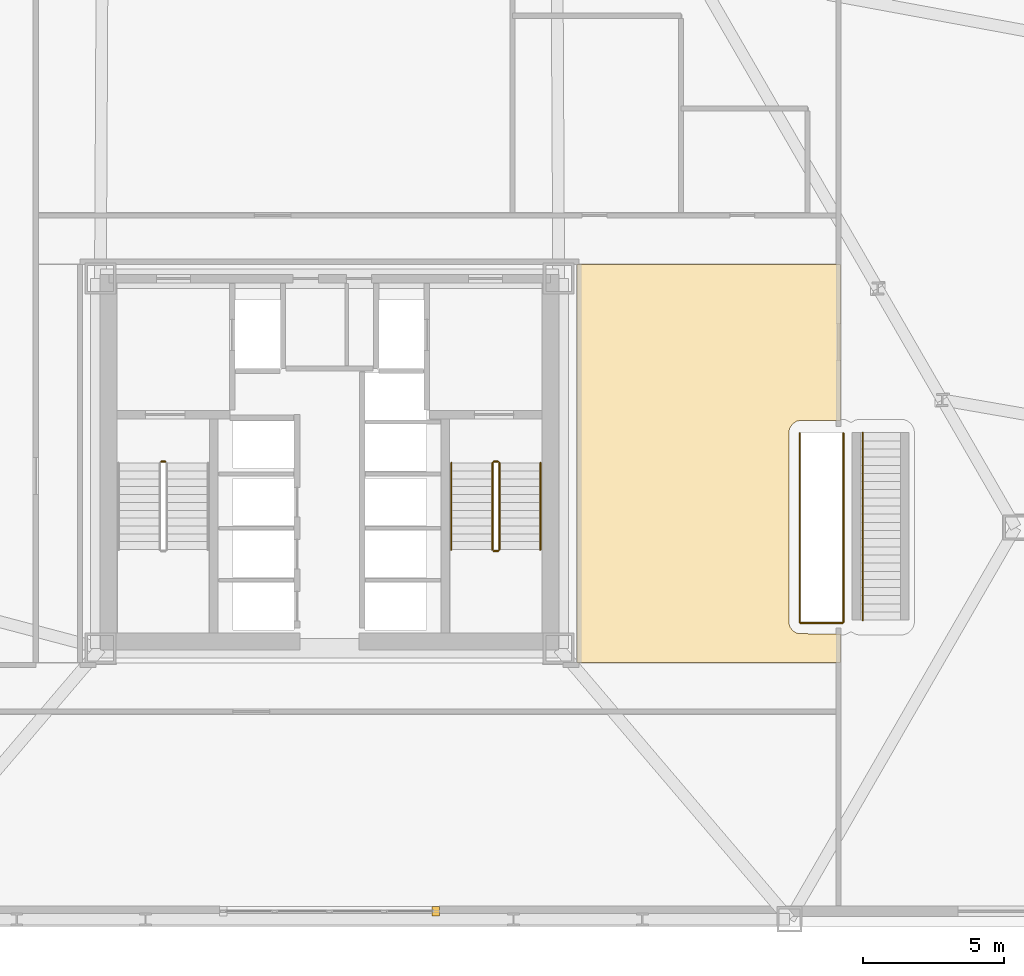
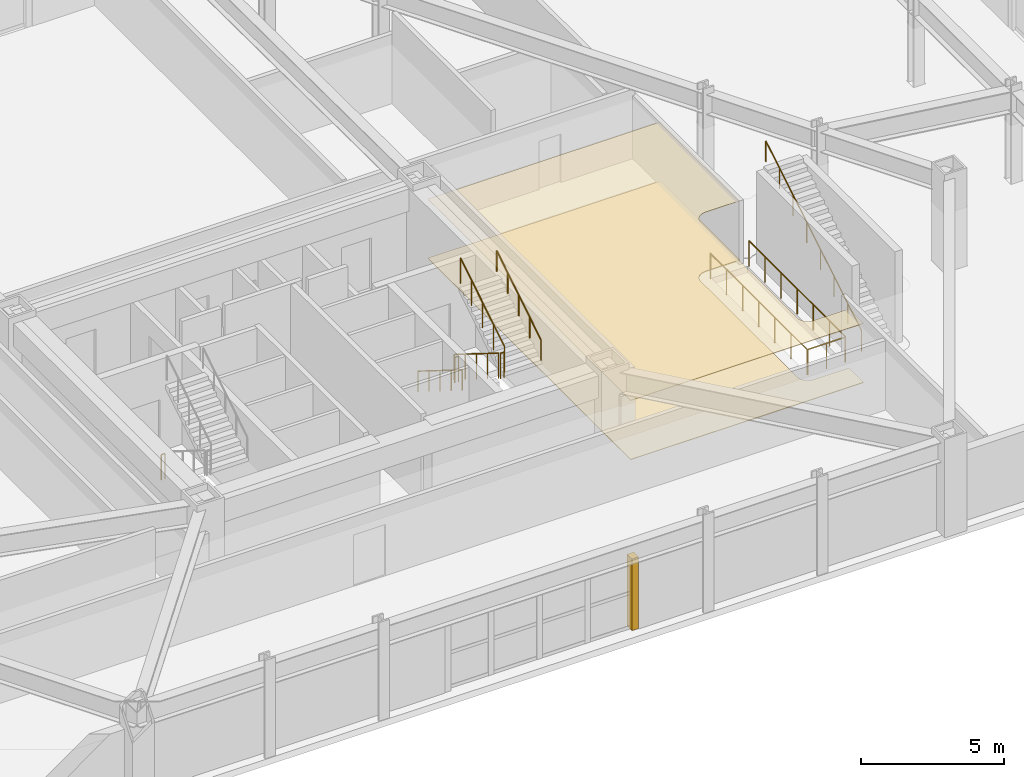
# One storey, part 21 of 22: 11 railings, 3 coverings.
"""IFC4 building model written with IfcOpenShell, lengths in metres."""

from ifc_helpers import new_model, si_unit, direction, frame, origin, origin_2d, place, context, subcontext, project, spatial, polyline, rectangle, circle, outline, extrude, material, layer, layer_set, type_object, element, save


model = new_model("IFC4")

# Units and contexts
model_context = context("Model", 3, precision=1e-05, world=origin(), true_north=direction((0.0, 1.0)))
body_context = subcontext(model_context, "Body", "Model", "MODEL_VIEW")
ifc_project = project(units=[si_unit("LENGTHUNIT", "METRE"), si_unit("AREAUNIT", "SQUARE_METRE"), si_unit("VOLUMEUNIT", "CUBIC_METRE"), si_unit("PLANEANGLEUNIT", "RADIAN"), si_unit("MASSUNIT", "GRAM", prefix="KILO")], contexts=[model_context])

# Site, building, storey
site_placement = place(None, origin())
site = spatial("IfcSite", under=ifc_project, at=site_placement, CompositionType="ELEMENT")
building_placement = place(site_placement, origin())
building = spatial("IfcBuilding", under=site, at=building_placement, Name="Oramaril Tower", CompositionType="ELEMENT")
storey_placement = place(building_placement, frame((0.0, 0.0, 14.10009765625)))
storey = spatial("IfcBuildingStorey", under=building, at=storey_placement, Name="L03", CompositionType="ELEMENT", Elevation=14.10009765625)

# Coverings
ifc_material_1 = material(Name="Mineral Fibre Acoustic Ceiling")
ifc_layer_1 = layer(ifc_material_1, 0.02001953125)
ifc_layer_set_1 = layer_set([ifc_layer_1], Name="CVT-CEIL")
covering_type_1 = type_object("IfcCoveringType", Name="CVT-CEIL", PredefinedType="CEILING", material=ifc_layer_set_1)
covering_1_placement = place(storey_placement, frame((0.0, 0.0, 2.52197265625)))
element("IfcCovering", 1, at=covering_1_placement, inside=storey, type_object=covering_type_1, Name="L03 Acoustic Suspended Ceiling 4", PredefinedType="CEILING", context=body_context, shape_type="SweptSolid", body=[
    extrude(outline(polyline([(53.965087890625, 18.9794921875), (53.868896484375, 18.835693359375), (53.83740234375, 18.710693359375), (53.844970703125, 11.862548828125), (53.8876953125, 11.742919921875), (53.964599609375, 11.639404296875), (54.068115234375, 11.562744140625), (54.187744140625, 11.52001953125), (55.679931640625, 11.509521484375), (55.679931640625, 10.5), (46.300048828125, 10.5), (46.300048828125, 24.64990234375), (55.679931640625, 24.64990234375), (55.679931640625, 19.109619140625), (54.282958984375, 19.109619140625), (54.107177734375, 19.074462890625), (53.965087890625, 18.9794921875)])), origin(), (0.0, 0.0, 1.0), 0.02001953125),
])
ifc_material_2 = material(Name="Warm Cream Limestone", Category="masonry")
ifc_layer_2 = layer(ifc_material_2, 0.050048828125)
ifc_layer_set_2 = layer_set([ifc_layer_2], Name="CVT-CLD")
covering_type_2 = type_object("IfcCoveringType", Name="CVT-CLD", PredefinedType="CLADDING", material=ifc_layer_set_2)
covering_2_placement = place(storey_placement, frame((41.280029296875, 1.64990234375, 0.0), z_axis=(0.0, 0.0, 1.0), x_axis=(1.0, 0.0, 0.0)))
element("IfcCovering", 2, at=covering_2_placement, inside=storey, type_object=covering_type_2, Name="L03 Curtain Wall Limestone Jamb Closure", PredefinedType="CLADDING", context=body_context, shape_type="SweptSolid", body=[
    extrude(rectangle(XDim=0.260009765625, YDim=0.340087890625, at=origin_2d()), origin(), (0.0, 0.0, 1.0), 3.053955078125),
])
ifc_material_3 = material(Name="Honed Quartzite Stone Flooring", Category="masonry")
ifc_layer_3 = layer(ifc_material_3, 0.02490234375)
ifc_layer_set_3 = layer_set([ifc_layer_3], Name="CVT-FLR")
covering_type_3 = type_object("IfcCoveringType", Name="CVT-FLR", PredefinedType="FLOORING", material=ifc_layer_set_3)
covering_3_placement = place(storey_placement, origin())
element("IfcCovering", 3, at=covering_3_placement, inside=storey, type_object=covering_type_3, Name="L03 Honed Stone Floor Finish 4", PredefinedType="FLOORING", context=body_context, shape_type="SweptSolid", body=[
    extrude(outline(polyline([(53.965087890625, 18.9794921875), (53.868896484375, 18.835693359375), (53.83740234375, 18.710693359375), (53.844970703125, 11.862548828125), (53.8876953125, 11.742919921875), (53.964599609375, 11.639404296875), (54.068115234375, 11.562744140625), (54.187744140625, 11.52001953125), (55.679931640625, 11.509521484375), (55.679931640625, 10.5), (46.300048828125, 10.5), (46.300048828125, 24.64990234375), (55.679931640625, 24.64990234375), (55.679931640625, 19.109619140625), (54.282958984375, 19.109619140625), (54.107177734375, 19.074462890625), (53.965087890625, 18.9794921875)])), origin(), (0.0, 0.0, 1.0), 0.02490234375),
])

# Railings
ifc_material_4 = material(Name="Stainless Steel 316L", Category="steel")
railing_type_1 = type_object("IfcRailingType", Name="RLT-GRD", PredefinedType="GUARDRAIL", material=ifc_material_4)
railing_1_placement = place(storey_placement, frame((31.510009765625, 17.639892578125, 0.0)))
element("IfcRailing", 4, at=railing_1_placement, inside=storey, type_object=railing_type_1, Name="L03 ST-1 stair guard 4", PredefinedType="GUARDRAIL", context=body_context, shape_type="SweptSolid", body=[
    extrude(circle(Radius=0.02392578125, at=origin_2d()), frame((0.0, 0.0, 1.076171875), z_axis=(1.0, 0.0, 0.0), x_axis=(0.0, 1.0, 0.0)), (0.0, 0.0, 1.0), 0.14990234375),
    extrude(circle(Radius=0.02099609375, at=origin_2d()), origin(), (0.0, 0.0, 1.0), 1.052001953125),
    extrude(circle(Radius=0.02099609375, at=origin_2d()), frame((0.14990234375, 0.0, 0.0)), (0.0, 0.0, 1.0), 1.052001953125),
])
railing_2_placement = place(storey_placement, frame((43.2900390625, 17.590087890625, 0.1748046875)))
element("IfcRailing", 5, at=railing_2_placement, inside=storey, type_object=railing_type_1, Name="L03 ST-2 stair guard 1", PredefinedType="GUARDRAIL", context=body_context, shape_type="SweptSolid", body=[
    extrude(circle(Radius=0.02392578125, at=origin_2d()), frame((0.0, 0.0, 1.076171875), z_axis=(0.0, -0.847998304005, 0.529998940003), x_axis=(1.0, 0.0, 0.0)), (0.0, 0.0, 1.0), 3.632080078125),
    extrude(circle(Radius=0.02099609375, at=origin_2d()), origin(), (0.0, 0.0, 1.0), 1.052001953125),
    extrude(circle(Radius=0.02099609375, at=origin_2d()), frame((0.0, -0.77001953125, 0.481201171875)), (0.0, 0.0, 1.0), 1.052001953125),
    extrude(circle(Radius=0.02099609375, at=origin_2d()), frame((0.0, -1.5400390625, 0.96240234375)), (0.0, 0.0, 1.0), 1.052001953125),
    extrude(circle(Radius=0.02099609375, at=origin_2d()), frame((0.0, -2.31005859375, 1.44384765625)), (0.0, 0.0, 1.0), 1.052001953125),
    extrude(circle(Radius=0.02099609375, at=origin_2d()), frame((0.0, -3.080078125, 1.925048828125)), (0.0, 0.0, 1.0), 1.052001953125),
])
railing_3_placement = place(storey_placement, frame((43.340087890625, 14.4599609375, 2.099853515625)))
element("IfcRailing", 6, at=railing_3_placement, inside=storey, type_object=railing_type_1, Name="L03 ST-2 stair guard 2", PredefinedType="GUARDRAIL", context=body_context, shape_type="SweptSolid", body=[
    extrude(circle(Radius=0.02392578125, at=origin_2d()), frame((0.0, 0.0, 1.076171875), z_axis=(1.0, 0.0, 0.0), x_axis=(0.0, 1.0, 0.0)), (0.0, 0.0, 1.0), 0.14990234375),
    extrude(circle(Radius=0.02099609375, at=origin_2d()), origin(), (0.0, 0.0, 1.0), 1.052001953125),
    extrude(circle(Radius=0.02099609375, at=origin_2d()), frame((0.14990234375, 0.0, 0.0)), (0.0, 0.0, 1.0), 1.052001953125),
])
railing_4_placement = place(storey_placement, frame((43.5400390625, 14.510009765625, 2.27490234375)))
element("IfcRailing", 7, at=railing_4_placement, inside=storey, type_object=railing_type_1, Name="L03 ST-2 stair guard 3", PredefinedType="GUARDRAIL", context=body_context, shape_type="SweptSolid", body=[
    extrude(circle(Radius=0.02392578125, at=origin_2d()), frame((0.0, 0.0, 1.076171875), z_axis=(0.0, 0.847998304005, 0.529998940003), x_axis=(-1.0, 0.0, 0.0)), (0.0, 0.0, 1.0), 3.632080078125),
    extrude(circle(Radius=0.02099609375, at=origin_2d()), origin(), (0.0, 0.0, 1.0), 1.052001953125),
    extrude(circle(Radius=0.02099609375, at=origin_2d()), frame((0.0, 0.77001953125, 0.481201171875)), (0.0, 0.0, 1.0), 1.052001953125),
    extrude(circle(Radius=0.02099609375, at=origin_2d()), frame((0.0, 1.5400390625, 0.96240234375)), (0.0, 0.0, 1.0), 1.052001953125),
    extrude(circle(Radius=0.02099609375, at=origin_2d()), frame((0.0, 2.31005859375, 1.44384765625)), (0.0, 0.0, 1.0), 1.052001953125),
    extrude(circle(Radius=0.02099609375, at=origin_2d()), frame((0.0, 3.080078125, 1.925048828125)), (0.0, 0.0, 1.0), 1.052001953125),
])
railing_5_placement = place(storey_placement, frame((43.340087890625, 17.639892578125, 0.0)))
element("IfcRailing", 8, at=railing_5_placement, inside=storey, type_object=railing_type_1, Name="L03 ST-2 stair guard 4", PredefinedType="GUARDRAIL", context=body_context, shape_type="SweptSolid", body=[
    extrude(circle(Radius=0.02392578125, at=origin_2d()), frame((0.0, 0.0, 1.076171875), z_axis=(1.0, 0.0, 0.0), x_axis=(0.0, 1.0, 0.0)), (0.0, 0.0, 1.0), 0.14990234375),
    extrude(circle(Radius=0.02099609375, at=origin_2d()), origin(), (0.0, 0.0, 1.0), 1.052001953125),
    extrude(circle(Radius=0.02099609375, at=origin_2d()), frame((0.14990234375, 0.0, 0.0)), (0.0, 0.0, 1.0), 1.052001953125),
])
railing_6_placement = place(storey_placement, frame((54.22509765625, 18.6494140625, 0.0)))
element("IfcRailing", 9, at=railing_6_placement, inside=storey, type_object=railing_type_1, Name="L03 ST-5 Well Guard 1", PredefinedType="GUARDRAIL", context=body_context, shape_type="SweptSolid", body=[
    extrude(circle(Radius=0.02392578125, at=origin_2d()), frame((0.0, 0.0, 1.076171875), z_axis=(0.0, -1.0, 0.0), x_axis=(1.0, 0.0, 0.0)), (0.0, 0.0, 1.0), 6.7294921875),
    extrude(circle(Radius=0.02099609375, at=origin_2d()), origin(), (0.0, 0.0, 1.0), 1.052001953125),
    extrude(circle(Radius=0.02099609375, at=origin_2d()), frame((0.0, -1.12158203125, 0.0)), (0.0, 0.0, 1.0), 1.052001953125),
    extrude(circle(Radius=0.02099609375, at=origin_2d()), frame((0.0, -2.2431640625, 0.0)), (0.0, 0.0, 1.0), 1.052001953125),
    extrude(circle(Radius=0.02099609375, at=origin_2d()), frame((0.0, -3.36474609375, 0.0)), (0.0, 0.0, 1.0), 1.052001953125),
    extrude(circle(Radius=0.02099609375, at=origin_2d()), frame((0.0, -4.486328125, 0.0)), (0.0, 0.0, 1.0), 1.052001953125),
    extrude(circle(Radius=0.02099609375, at=origin_2d()), frame((0.0, -5.60791015625, 0.0)), (0.0, 0.0, 1.0), 1.052001953125),
    extrude(circle(Radius=0.02099609375, at=origin_2d()), frame((0.0, -6.7294921875, 0.0)), (0.0, 0.0, 1.0), 1.052001953125),
])
railing_7_placement = place(storey_placement, frame((54.2451171875, 11.89990234375, 0.0)))
element("IfcRailing", 10, at=railing_7_placement, inside=storey, type_object=railing_type_1, Name="L03 ST-5 Well Guard 2", PredefinedType="GUARDRAIL", context=body_context, shape_type="SweptSolid", body=[
    extrude(circle(Radius=0.02392578125, at=origin_2d()), frame((0.0, 0.0, 1.076171875), z_axis=(1.0, 0.0, 0.0), x_axis=(0.0, 1.0, 0.0)), (0.0, 0.0, 1.0), 1.509765625),
    extrude(circle(Radius=0.02099609375, at=origin_2d()), origin(), (0.0, 0.0, 1.0), 1.052001953125),
    extrude(circle(Radius=0.02099609375, at=origin_2d()), frame((0.7548828125, 0.0, 0.0)), (0.0, 0.0, 1.0), 1.052001953125),
    extrude(circle(Radius=0.02099609375, at=origin_2d()), frame((1.509765625, 0.0, 0.0)), (0.0, 0.0, 1.0), 1.052001953125),
])
railing_8_placement = place(storey_placement, frame((55.77490234375, 11.919921875, 0.0)))
element("IfcRailing", 11, at=railing_8_placement, inside=storey, type_object=railing_type_1, Name="L03 ST-5 Well Guard 3", PredefinedType="GUARDRAIL", context=body_context, shape_type="SweptSolid", body=[
    extrude(circle(Radius=0.02392578125, at=origin_2d()), frame((0.0, 0.0, 1.076171875), z_axis=(0.0, 1.0, 0.0), x_axis=(-1.0, 0.0, 0.0)), (0.0, 0.0, 1.0), 6.7294921875),
    extrude(circle(Radius=0.02099609375, at=origin_2d()), origin(), (0.0, 0.0, 1.0), 1.052001953125),
    extrude(circle(Radius=0.02099609375, at=origin_2d()), frame((0.0, 1.12158203125, 0.0)), (0.0, 0.0, 1.0), 1.052001953125),
    extrude(circle(Radius=0.02099609375, at=origin_2d()), frame((0.0, 2.2431640625, 0.0)), (0.0, 0.0, 1.0), 1.052001953125),
    extrude(circle(Radius=0.02099609375, at=origin_2d()), frame((0.0, 3.36474609375, 0.0)), (0.0, 0.0, 1.0), 1.052001953125),
    extrude(circle(Radius=0.02099609375, at=origin_2d()), frame((0.0, 4.486328125, 0.0)), (0.0, 0.0, 1.0), 1.052001953125),
    extrude(circle(Radius=0.02099609375, at=origin_2d()), frame((0.0, 5.60791015625, 0.0)), (0.0, 0.0, 1.0), 1.052001953125),
    extrude(circle(Radius=0.02099609375, at=origin_2d()), frame((0.0, 6.7294921875, 0.0)), (0.0, 0.0, 1.0), 1.052001953125),
])
ifc_material_5 = material(Name="Stainless Steel 316L", Category="steel")
railing_type_2 = type_object("IfcRailingType", Name="RLT-HND", PredefinedType="HANDRAIL", material=ifc_material_5)
railing_9_placement = place(storey_placement, frame((41.830078125, 17.590087890625, 0.1748046875)))
element("IfcRailing", 12, at=railing_9_placement, inside=storey, type_object=railing_type_2, Name="L03 ST-2 stair handrail 1", PredefinedType="HANDRAIL", context=body_context, shape_type="SweptSolid", body=[
    extrude(circle(Radius=0.02392578125, at=origin_2d()), frame((0.0, 0.0, 0.8759765625), z_axis=(0.0, -0.847998304005, 0.529998940003), x_axis=(1.0, 0.0, 0.0)), (0.0, 0.0, 1.0), 3.632080078125),
    extrude(circle(Radius=0.02099609375, at=origin_2d()), origin(), (0.0, 0.0, 1.0), 0.851806640625),
    extrude(circle(Radius=0.02099609375, at=origin_2d()), frame((0.0, -0.77001953125, 0.481201171875)), (0.0, 0.0, 1.0), 0.851806640625),
    extrude(circle(Radius=0.02099609375, at=origin_2d()), frame((0.0, -1.5400390625, 0.96240234375)), (0.0, 0.0, 1.0), 0.851806640625),
    extrude(circle(Radius=0.02099609375, at=origin_2d()), frame((0.0, -2.31005859375, 1.44384765625)), (0.0, 0.0, 1.0), 0.851806640625),
    extrude(circle(Radius=0.02099609375, at=origin_2d()), frame((0.0, -3.080078125, 1.925048828125)), (0.0, 0.0, 1.0), 0.851806640625),
])
railing_10_placement = place(storey_placement, frame((45.0, 14.510009765625, 2.27490234375)))
element("IfcRailing", 13, at=railing_10_placement, inside=storey, type_object=railing_type_2, Name="L03 ST-2 stair handrail 2", PredefinedType="HANDRAIL", context=body_context, shape_type="SweptSolid", body=[
    extrude(circle(Radius=0.02392578125, at=origin_2d()), frame((0.0, 0.0, 0.8759765625), z_axis=(0.0, 0.847998304005, 0.529998940003), x_axis=(-1.0, 0.0, 0.0)), (0.0, 0.0, 1.0), 3.632080078125),
    extrude(circle(Radius=0.02099609375, at=origin_2d()), origin(), (0.0, 0.0, 1.0), 0.851806640625),
    extrude(circle(Radius=0.02099609375, at=origin_2d()), frame((0.0, 0.77001953125, 0.481201171875)), (0.0, 0.0, 1.0), 0.851806640625),
    extrude(circle(Radius=0.02099609375, at=origin_2d()), frame((0.0, 1.5400390625, 0.96240234375)), (0.0, 0.0, 1.0), 0.851806640625),
    extrude(circle(Radius=0.02099609375, at=origin_2d()), frame((0.0, 2.31005859375, 1.44384765625)), (0.0, 0.0, 1.0), 0.851806640625),
    extrude(circle(Radius=0.02099609375, at=origin_2d()), frame((0.0, 3.080078125, 1.925048828125)), (0.0, 0.0, 1.0), 0.851806640625),
])
railing_11_placement = place(storey_placement, frame((56.465087890625, 12.0, 0.1748046875)))
element("IfcRailing", 14, at=railing_11_placement, inside=storey, type_object=railing_type_2, Name="L03 ST-6 Pitch Handrail", PredefinedType="HANDRAIL", context=body_context, shape_type="SweptSolid", body=[
    extrude(circle(Radius=0.02392578125, at=origin_2d()), frame((0.0, 0.0, 0.8759765625), z_axis=(0.0, 0.856176665991, 0.516683187855), x_axis=(-1.0, 0.0, 0.0)), (0.0, 0.0, 1.0), 7.790283203125),
    extrude(circle(Radius=0.02099609375, at=origin_2d()), origin(), (0.0, 0.0, 1.0), 0.851806640625),
    extrude(circle(Radius=0.02099609375, at=origin_2d()), frame((0.0, 0.952880859375, 0.574951171875)), (0.0, 0.0, 1.0), 0.851806640625),
    extrude(circle(Radius=0.02099609375, at=origin_2d()), frame((0.0, 1.90576171875, 1.150146484375)), (0.0, 0.0, 1.0), 0.851806640625),
    extrude(circle(Radius=0.02099609375, at=origin_2d()), frame((0.0, 2.858642578125, 1.72509765625)), (0.0, 0.0, 1.0), 0.851806640625),
    extrude(circle(Radius=0.02099609375, at=origin_2d()), frame((0.0, 3.811279296875, 2.300048828125)), (0.0, 0.0, 1.0), 0.851806640625),
    extrude(circle(Radius=0.02099609375, at=origin_2d()), frame((0.0, 4.76416015625, 2.875)), (0.0, 0.0, 1.0), 0.851806640625),
    extrude(circle(Radius=0.02099609375, at=origin_2d()), frame((0.0, 5.717041015625, 3.4501953125)), (0.0, 0.0, 1.0), 0.851806640625),
    extrude(circle(Radius=0.02099609375, at=origin_2d()), frame((0.0, 6.669921875, 4.025146484375)), (0.0, 0.0, 1.0), 0.851806640625),
])

save(model, "model.ifc")
